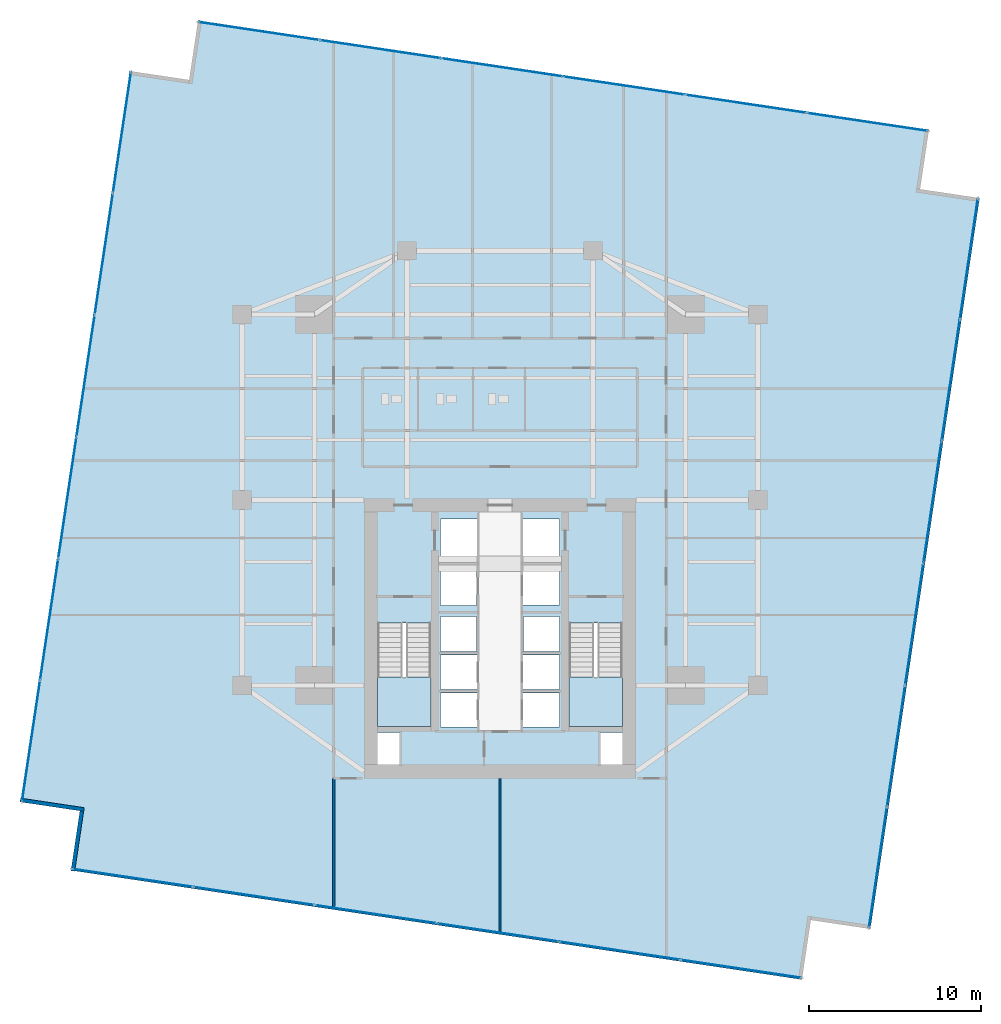
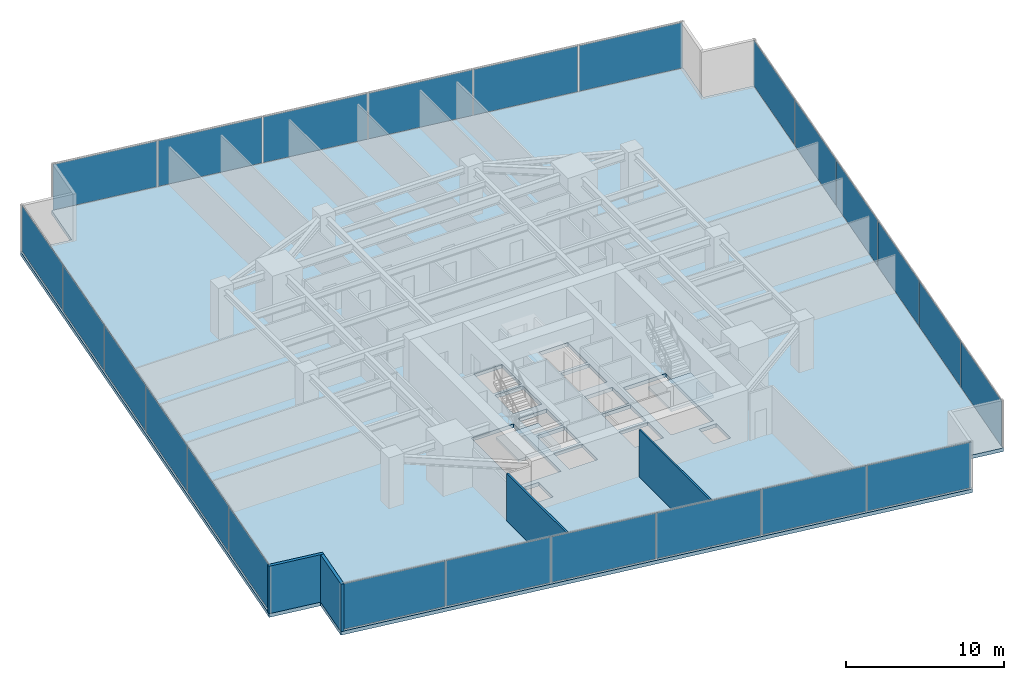
# One storey, part 24 of 29: 24 plates, 4 walls, 3 slabs, 6 elements without a shape of their own.
"""IFC4 building model written with IfcOpenShell, lengths in metres."""

from ifc_helpers import new_model, si_unit, direction, frame, frame_2d, origin, origin_2d, place, context, subcontext, project, spatial, polyline, rectangle, outline, extrude, source, transform, mapped, material, layer, layer_set, type_object, type_shapes, element, aggregate, save


model = new_model("IFC4")

# Units and contexts
model_context = context("Model", 3, precision=1e-05, world=origin(), true_north=direction((0.0, 1.0)))
body_context = subcontext(model_context, "Body", "Model", "MODEL_VIEW")
ifc_project = project(units=[si_unit("LENGTHUNIT", "METRE"), si_unit("AREAUNIT", "SQUARE_METRE"), si_unit("VOLUMEUNIT", "CUBIC_METRE"), si_unit("PLANEANGLEUNIT", "RADIAN"), si_unit("MASSUNIT", "GRAM", prefix="KILO")], contexts=[model_context])

# Site, building, storey
site_placement = place(None, origin())
site = spatial("IfcSite", under=ifc_project, at=site_placement, CompositionType="ELEMENT")
building_placement = place(site_placement, origin())
building = spatial("IfcBuilding", under=site, at=building_placement, Name="Krantzveldt Concourse Tower", CompositionType="ELEMENT")
storey_placement = place(building_placement, frame((0.0, 0.0, 68.449951171875)))
storey = spatial("IfcBuildingStorey", under=building, at=storey_placement, Name="L16", CompositionType="ELEMENT", Elevation=68.449951171875)

# Stair, slab
ifc_material_1 = material(Name="Precast concrete C40/50", Category="concrete")
stair_type = type_object("IfcStairType", Name="STR-CORE-DOGLEG", PredefinedType="HALF_TURN_STAIR", material=ifc_material_1)
stair_1_placement = place(storey_placement, origin())
stair_1 = element("IfcStair", 1, at=stair_1_placement, inside=storey, type_object=stair_type, Name="L16 Protected Escape Stair ST-1", PredefinedType="HALF_TURN_STAIR")
ifc_layer_1 = layer(ifc_material_1, 0.199951171875, Name="Precast concrete C40/50", Category="concrete")
ifc_layer_set_1 = layer_set([ifc_layer_1], Name="Precast concrete C40/50 (SL-LANDING-200)")
slab_type_1 = type_object("IfcSlabType", Name="SL-LANDING-200", PredefinedType="LANDING", material=ifc_layer_set_1)
slab_1_placement = place(storey_placement, frame((0.0, 0.0, 1.775146484375)))
slab_1 = element("IfcSlab", 2, at=slab_1_placement, type_object=slab_type_1, Name="ST-1 landing 1", PredefinedType="LANDING", context=body_context, shape_type="SweptSolid", body=[
    extrude(outline(polyline([(28.8798828125, 16.4150390625), (28.8798828125, 13.52001953125), (31.97998046875, 13.52001953125), (31.97998046875, 16.4150390625), (28.8798828125, 16.4150390625)])), origin(), (0.0, 0.0, 1.0), 0.199951171875),
])
aggregate(stair_1, [slab_1])

stair_2_placement = place(storey_placement, origin())
stair_2 = element("IfcStair", 3, at=stair_2_placement, inside=storey, type_object=stair_type, Name="L16 Protected Escape Stair ST-2", PredefinedType="HALF_TURN_STAIR")
slab_2_placement = place(storey_placement, frame((0.0, 0.0, 1.775146484375)))
slab_2 = element("IfcSlab", 4, at=slab_2_placement, type_object=slab_type_1, Name="ST-2 landing 1", PredefinedType="LANDING", context=body_context, shape_type="SweptSolid", body=[
    extrude(outline(polyline([(40.02001953125, 16.4150390625), (40.02001953125, 13.52001953125), (43.1201171875, 13.52001953125), (43.1201171875, 16.4150390625), (40.02001953125, 16.4150390625)])), origin(), (0.0, 0.0, 1.0), 0.199951171875),
])
aggregate(stair_2, [slab_2])

# Slab
ifc_material_2 = material(Name="Concrete C40/50", Category="concrete")
ifc_layer_2 = layer(ifc_material_2, 0.280029296875, Name="Concrete C40/50", Category="concrete")
ifc_layer_set_2 = layer_set([ifc_layer_2], Name="Concrete C40/50 (SL-SL-TWR280)")
slab_type_2 = type_object("IfcSlabType", Name="SL-SL-TWR280", PredefinedType="FLOOR", material=ifc_layer_set_2)
slab_3_placement = place(storey_placement, frame((0.0, 0.0, -0.280029296875)))
element("IfcSlab", 5, at=slab_3_placement, inside=storey, type_object=slab_type_2, Name="SL-L16-MAIN", PredefinedType="FLOOR", context=body_context, shape_type="SweptSolid", body=[
    extrude(outline(polyline([(17.9140625, 51.141845703125), (14.452392578125, 51.6591796875), (8.0966796875, 9.13134765625), (11.558349609375, 8.614013671875), (11.041015625, 5.152587890625), (53.568603515625, -1.203369140625), (54.0859375, 2.25830078125), (57.547607421875, 1.740966796875), (63.9033203125, 44.2685546875), (60.441650390625, 44.785888671875), (60.958984375, 48.24755859375), (18.431396484375, 54.603271484375), (17.9140625, 51.141845703125)]), holes=[polyline([(28.8798828125, 19.547607421875), (28.8798828125, 13.52001953125), (31.97998046875, 13.52001953125), (31.97998046875, 19.547607421875), (28.8798828125, 19.547607421875)]), polyline([(40.02001953125, 19.547607421875), (40.02001953125, 13.52001953125), (43.1201171875, 13.52001953125), (43.1201171875, 19.547607421875), (40.02001953125, 19.547607421875)]), polyline([(32.550048828125, 23.10009765625), (34.64990234375, 23.10009765625), (34.64990234375, 25.60009765625), (32.550048828125, 25.60009765625), (32.550048828125, 23.10009765625)]), polyline([(37.35009765625, 23.10009765625), (39.449951171875, 23.10009765625), (39.449951171875, 25.60009765625), (37.35009765625, 25.60009765625), (37.35009765625, 23.10009765625)]), polyline([(37.35009765625, 20.60009765625), (39.449951171875, 20.60009765625), (39.449951171875, 22.89990234375), (37.35009765625, 22.89990234375), (37.35009765625, 20.60009765625)]), polyline([(32.550048828125, 13.47998046875), (34.64990234375, 13.47998046875), (34.64990234375, 15.47998046875), (32.550048828125, 15.47998046875), (32.550048828125, 13.47998046875)]), polyline([(32.550048828125, 15.679931640625), (34.64990234375, 15.679931640625), (34.64990234375, 17.679931640625), (32.550048828125, 17.679931640625), (32.550048828125, 15.679931640625)]), polyline([(37.35009765625, 13.47998046875), (39.449951171875, 13.47998046875), (39.449951171875, 15.47998046875), (37.35009765625, 15.47998046875), (37.35009765625, 13.47998046875)]), polyline([(37.35009765625, 15.679931640625), (39.449951171875, 15.679931640625), (39.449951171875, 17.679931640625), (37.35009765625, 17.679931640625), (37.35009765625, 15.679931640625)]), polyline([(32.550048828125, 20.550048828125), (34.6201171875, 20.550048828125), (34.6201171875, 22.89990234375), (32.550048828125, 22.89990234375), (32.550048828125, 20.550048828125)]), polyline([(32.550048828125, 17.8798828125), (34.6201171875, 17.8798828125), (34.6201171875, 19.919921875), (32.550048828125, 19.919921875), (32.550048828125, 17.8798828125)]), polyline([(37.3798828125, 17.8798828125), (39.449951171875, 17.8798828125), (39.449951171875, 19.919921875), (37.3798828125, 19.919921875), (37.3798828125, 17.8798828125)]), polyline([(28.8798828125, 11.320068359375), (30.139892578125, 11.320068359375), (30.139892578125, 13.159912109375), (28.8798828125, 13.159912109375), (28.8798828125, 11.320068359375)]), polyline([(41.860107421875, 11.320068359375), (43.1201171875, 11.320068359375), (43.1201171875, 13.159912109375), (41.860107421875, 13.159912109375), (41.860107421875, 11.320068359375)])]), origin(), (0.0, 0.0, 1.0), 0.280029296875),
])

# Curtain wall, plates
ifc_material_3 = material(Name="Anodised aluminium 6063-T6", Category="aluminium")
curtain_wall_type = type_object("IfcCurtainWallType", Name="CW2", PredefinedType="USERDEFINED", material=ifc_material_3)
curtain_wall_1_placement = place(storey_placement, origin())
curtain_wall_1 = element("IfcCurtainWall", 6, at=curtain_wall_1_placement, inside=storey, type_object=curtain_wall_type, Name="CW-L16-F01", ObjectType="UNITISED CURTAIN WALL", PredefinedType="USERDEFINED")
ifc_material_4 = material(Name="Bronze-tinted laminated low-E IGU glass", Category="glass")
ifc_layer_3 = layer(ifc_material_4, 0.031982421875, Name="Bronze-tinted laminated low-E IGU glass", Category="glass")
ifc_layer_set_3 = layer_set([ifc_layer_3], Name="Bronze-tinted laminated low-E IGU glass (CW-GLZ-32)")
plate_type = type_object("IfcPlateType", Name="CW-GLZ-32", PredefinedType="CURTAIN_PANEL", material=ifc_layer_set_3)
shared_shape_1 = source(origin(), body_context, "Body", "SweptSolid", [
    extrude(rectangle(XDim=7.061767578125, YDim=0.031982421875, at=origin_2d()), origin(), (0.0, 0.0, 1.0), 3.530029296875),
])
plate_1_placement = place(storey_placement, frame((14.00927734375, 48.08447265625, 0.06982421875), z_axis=(0.0, 0.0, 1.0), x_axis=(-0.147809505412, -0.989015849271, 0.0)))
plate_1 = element("IfcPlate", 7, at=plate_1_placement, type_object=plate_type, Name="CW-Z12 panel 1.1", PredefinedType="CURTAIN_PANEL", context=body_context, shape_type="MappedRepresentation", body=[
    mapped(shared_shape_1, transform((0.0, 0.0, 0.0), x_axis=(1.0, 0.0, 0.0), y_axis=(0.0, 1.0, 0.0), z_axis=(0.0, 0.0, 1.0), scale=1.0)),
])
plate_2_placement = place(storey_placement, frame((8.718017578125, 12.679443359375, 0.06982421875), z_axis=(0.0, 0.0, 1.0), x_axis=(-0.147809505412, -0.989015849271, 0.0)))
plate_2 = element("IfcPlate", 8, at=plate_2_placement, type_object=plate_type, Name="CW-Z12 panel 6.1", PredefinedType="CURTAIN_PANEL", context=body_context, shape_type="MappedRepresentation", body=[
    mapped(shared_shape_1, transform((0.0, 0.0, 0.0), x_axis=(1.0, 0.0, 0.0), y_axis=(0.0, 1.0, 0.0), z_axis=(0.0, 0.0, 1.0), scale=1.0)),
])

curtain_wall_2_placement = place(storey_placement, origin())
curtain_wall_2 = element("IfcCurtainWall", 9, at=curtain_wall_2_placement, inside=storey, type_object=curtain_wall_type, Name="CW-L16-F04", ObjectType="UNITISED CURTAIN WALL", PredefinedType="USERDEFINED")
plate_3_placement = place(storey_placement, frame((14.615478515625, 4.709228515625, 0.06982421875), z_axis=(0.0, 0.0, 1.0), x_axis=(0.989015849271, -0.147809505412, 0.0)))
plate_3 = element("IfcPlate", 10, at=plate_3_placement, type_object=plate_type, Name="CW-Z12 panel 1.1", PredefinedType="CURTAIN_PANEL", context=body_context, shape_type="MappedRepresentation", body=[
    mapped(shared_shape_1, transform((0.0, 0.0, 0.0), x_axis=(1.0, 0.0, 0.0), y_axis=(0.0, 1.0, 0.0), z_axis=(0.0, 0.0, 1.0), scale=1.0)),
])
plate_4_placement = place(storey_placement, frame((50.0205078125, -0.58203125, 0.06982421875), z_axis=(0.0, 0.0, 1.0), x_axis=(0.989015849271, -0.147809505412, 0.0)))
plate_4 = element("IfcPlate", 11, at=plate_4_placement, type_object=plate_type, Name="CW-Z12 panel 6.1", PredefinedType="CURTAIN_PANEL", context=body_context, shape_type="MappedRepresentation", body=[
    mapped(shared_shape_1, transform((0.0, 0.0, 0.0), x_axis=(1.0, 0.0, 0.0), y_axis=(0.0, 1.0, 0.0), z_axis=(0.0, 0.0, 1.0), scale=1.0)),
])

curtain_wall_3_placement = place(storey_placement, origin())
curtain_wall_3 = element("IfcCurtainWall", 12, at=curtain_wall_3_placement, inside=storey, type_object=curtain_wall_type, Name="CW-L16-F07", ObjectType="UNITISED CURTAIN WALL", PredefinedType="USERDEFINED")
plate_5_placement = place(storey_placement, frame((57.99072265625, 5.3154296875, 0.06982421875), z_axis=(0.0, 0.0, 1.0), x_axis=(0.147809505412, 0.989015849271, 0.0)))
plate_5 = element("IfcPlate", 13, at=plate_5_placement, type_object=plate_type, Name="CW-Z12 panel 1.1", PredefinedType="CURTAIN_PANEL", context=body_context, shape_type="MappedRepresentation", body=[
    mapped(shared_shape_1, transform((0.0, 0.0, 0.0), x_axis=(1.0, 0.0, 0.0), y_axis=(0.0, 1.0, 0.0), z_axis=(0.0, 0.0, 1.0), scale=1.0)),
])
plate_6_placement = place(storey_placement, frame((63.281982421875, 40.720703125, 0.06982421875), z_axis=(0.0, 0.0, 1.0), x_axis=(0.147809505412, 0.989015849271, 0.0)))
plate_6 = element("IfcPlate", 14, at=plate_6_placement, type_object=plate_type, Name="CW-Z12 panel 6.1", PredefinedType="CURTAIN_PANEL", context=body_context, shape_type="MappedRepresentation", body=[
    mapped(shared_shape_1, transform((0.0, 0.0, 0.0), x_axis=(1.0, 0.0, 0.0), y_axis=(0.0, 1.0, 0.0), z_axis=(0.0, 0.0, 1.0), scale=1.0)),
])

curtain_wall_4_placement = place(storey_placement, origin())
curtain_wall_4 = element("IfcCurtainWall", 15, at=curtain_wall_4_placement, inside=storey, type_object=curtain_wall_type, Name="CW-L16-F10", ObjectType="UNITISED CURTAIN WALL", PredefinedType="USERDEFINED")
plate_7_placement = place(storey_placement, frame((57.384521484375, 48.690673828125, 0.06982421875), z_axis=(0.0, 0.0, 1.0), x_axis=(-0.989015849271, 0.147809505412, 0.0)))
plate_7 = element("IfcPlate", 16, at=plate_7_placement, type_object=plate_type, Name="CW-Z12 panel 1.1", PredefinedType="CURTAIN_PANEL", context=body_context, shape_type="MappedRepresentation", body=[
    mapped(shared_shape_1, transform((0.0, 0.0, 0.0), x_axis=(1.0, 0.0, 0.0), y_axis=(0.0, 1.0, 0.0), z_axis=(0.0, 0.0, 1.0), scale=1.0)),
])
plate_8_placement = place(storey_placement, frame((21.9794921875, 53.98193359375, 0.06982421875), z_axis=(0.0, 0.0, 1.0), x_axis=(-0.989015849271, 0.147809505412, 0.0)))
plate_8 = element("IfcPlate", 17, at=plate_8_placement, type_object=plate_type, Name="CW-Z12 panel 6.1", PredefinedType="CURTAIN_PANEL", context=body_context, shape_type="MappedRepresentation", body=[
    mapped(shared_shape_1, transform((0.0, 0.0, 0.0), x_axis=(1.0, 0.0, 0.0), y_axis=(0.0, 1.0, 0.0), z_axis=(0.0, 0.0, 1.0), scale=1.0)),
])

# Plate
shared_shape_2 = source(origin(), body_context, "Body", "SweptSolid", [
    extrude(rectangle(XDim=7.0966796875, YDim=0.031982421875, at=origin_2d()), origin(), (0.0, 0.0, 1.0), 3.530029296875),
])
type_shapes(plate_type, [shared_shape_1, shared_shape_2])
plate_9_placement = place(storey_placement, frame((12.95263671875, 41.013916015625, 0.06982421875), z_axis=(0.0, 0.0, 1.0), x_axis=(-0.147809505412, -0.989015849271, 0.0)))
plate_9 = element("IfcPlate", 18, at=plate_9_placement, type_object=plate_type, Name="CW-Z12 panel 2.1", PredefinedType="CURTAIN_PANEL", context=body_context, shape_type="MappedRepresentation", body=[
    mapped(shared_shape_2, transform((0.0, 0.0, 0.0), x_axis=(1.0, 0.0, 0.0), y_axis=(0.0, 1.0, 0.0), z_axis=(0.0, 0.0, 1.0), scale=1.0)),
])

plate_10_placement = place(storey_placement, frame((11.893310546875, 33.926025390625, 0.06982421875), z_axis=(0.0, 0.0, 1.0), x_axis=(-0.147809505412, -0.989015849271, 0.0)))
plate_10 = element("IfcPlate", 19, at=plate_10_placement, type_object=plate_type, Name="CW-Z12 panel 3.1", PredefinedType="CURTAIN_PANEL", context=body_context, shape_type="MappedRepresentation", body=[
    mapped(shared_shape_2, transform((0.0, 0.0, 0.0), x_axis=(1.0, 0.0, 0.0), y_axis=(0.0, 1.0, 0.0), z_axis=(0.0, 0.0, 1.0), scale=1.0)),
])

plate_11_placement = place(storey_placement, frame((10.833984375, 26.837890625, 0.06982421875), z_axis=(0.0, 0.0, 1.0), x_axis=(-0.147809505412, -0.989015849271, 0.0)))
plate_11 = element("IfcPlate", 20, at=plate_11_placement, type_object=plate_type, Name="CW-Z12 panel 4.1", PredefinedType="CURTAIN_PANEL", context=body_context, shape_type="MappedRepresentation", body=[
    mapped(shared_shape_2, transform((0.0, 0.0, 0.0), x_axis=(1.0, 0.0, 0.0), y_axis=(0.0, 1.0, 0.0), z_axis=(0.0, 0.0, 1.0), scale=1.0)),
])

plate_12_placement = place(storey_placement, frame((9.774658203125, 19.75, 0.06982421875), z_axis=(0.0, 0.0, 1.0), x_axis=(-0.147809505412, -0.989015849271, 0.0)))
plate_12 = element("IfcPlate", 21, at=plate_12_placement, type_object=plate_type, Name="CW-Z12 panel 5.1", PredefinedType="CURTAIN_PANEL", context=body_context, shape_type="MappedRepresentation", body=[
    mapped(shared_shape_2, transform((0.0, 0.0, 0.0), x_axis=(1.0, 0.0, 0.0), y_axis=(0.0, 1.0, 0.0), z_axis=(0.0, 0.0, 1.0), scale=1.0)),
])

aggregate(curtain_wall_1, [plate_1, plate_9, plate_10, plate_11, plate_12, plate_2])

plate_13_placement = place(storey_placement, frame((21.68603515625, 3.652587890625, 0.06982421875), z_axis=(0.0, 0.0, 1.0), x_axis=(0.989015849271, -0.147809505412, 0.0)))
plate_13 = element("IfcPlate", 22, at=plate_13_placement, type_object=plate_type, Name="CW-Z12 panel 2.1", PredefinedType="CURTAIN_PANEL", context=body_context, shape_type="MappedRepresentation", body=[
    mapped(shared_shape_2, transform((0.0, 0.0, 0.0), x_axis=(1.0, 0.0, 0.0), y_axis=(0.0, 1.0, 0.0), z_axis=(0.0, 0.0, 1.0), scale=1.0)),
])

plate_14_placement = place(storey_placement, frame((28.774169921875, 2.59326171875, 0.06982421875), z_axis=(0.0, 0.0, 1.0), x_axis=(0.989015849271, -0.147809505412, 0.0)))
plate_14 = element("IfcPlate", 23, at=plate_14_placement, type_object=plate_type, Name="CW-Z12 panel 3.1", PredefinedType="CURTAIN_PANEL", context=body_context, shape_type="MappedRepresentation", body=[
    mapped(shared_shape_2, transform((0.0, 0.0, 0.0), x_axis=(1.0, 0.0, 0.0), y_axis=(0.0, 1.0, 0.0), z_axis=(0.0, 0.0, 1.0), scale=1.0)),
])

plate_15_placement = place(storey_placement, frame((35.862060546875, 1.533935546875, 0.06982421875), z_axis=(0.0, 0.0, 1.0), x_axis=(0.989015849271, -0.147809505412, 0.0)))
plate_15 = element("IfcPlate", 24, at=plate_15_placement, type_object=plate_type, Name="CW-Z12 panel 4.1", PredefinedType="CURTAIN_PANEL", context=body_context, shape_type="MappedRepresentation", body=[
    mapped(shared_shape_2, transform((0.0, 0.0, 0.0), x_axis=(1.0, 0.0, 0.0), y_axis=(0.0, 1.0, 0.0), z_axis=(0.0, 0.0, 1.0), scale=1.0)),
])

plate_16_placement = place(storey_placement, frame((42.949951171875, 0.474609375, 0.06982421875), z_axis=(0.0, 0.0, 1.0), x_axis=(0.989015849271, -0.147809505412, 0.0)))
plate_16 = element("IfcPlate", 25, at=plate_16_placement, type_object=plate_type, Name="CW-Z12 panel 5.1", PredefinedType="CURTAIN_PANEL", context=body_context, shape_type="MappedRepresentation", body=[
    mapped(shared_shape_2, transform((0.0, 0.0, 0.0), x_axis=(1.0, 0.0, 0.0), y_axis=(0.0, 1.0, 0.0), z_axis=(0.0, 0.0, 1.0), scale=1.0)),
])

aggregate(curtain_wall_2, [plate_3, plate_13, plate_14, plate_15, plate_16, plate_4])

plate_17_placement = place(storey_placement, frame((59.04736328125, 12.38623046875, 0.06982421875), z_axis=(0.0, 0.0, 1.0), x_axis=(0.147809505412, 0.989015849271, 0.0)))
plate_17 = element("IfcPlate", 26, at=plate_17_placement, type_object=plate_type, Name="CW-Z12 panel 2.1", PredefinedType="CURTAIN_PANEL", context=body_context, shape_type="MappedRepresentation", body=[
    mapped(shared_shape_2, transform((0.0, 0.0, 0.0), x_axis=(1.0, 0.0, 0.0), y_axis=(0.0, 1.0, 0.0), z_axis=(0.0, 0.0, 1.0), scale=1.0)),
])

plate_18_placement = place(storey_placement, frame((60.106689453125, 19.47412109375, 0.06982421875), z_axis=(0.0, 0.0, 1.0), x_axis=(0.147809505412, 0.989015849271, 0.0)))
plate_18 = element("IfcPlate", 27, at=plate_18_placement, type_object=plate_type, Name="CW-Z12 panel 3.1", PredefinedType="CURTAIN_PANEL", context=body_context, shape_type="MappedRepresentation", body=[
    mapped(shared_shape_2, transform((0.0, 0.0, 0.0), x_axis=(1.0, 0.0, 0.0), y_axis=(0.0, 1.0, 0.0), z_axis=(0.0, 0.0, 1.0), scale=1.0)),
])

plate_19_placement = place(storey_placement, frame((61.166015625, 26.56201171875, 0.06982421875), z_axis=(0.0, 0.0, 1.0), x_axis=(0.147809505412, 0.989015849271, 0.0)))
plate_19 = element("IfcPlate", 28, at=plate_19_placement, type_object=plate_type, Name="CW-Z12 panel 4.1", PredefinedType="CURTAIN_PANEL", context=body_context, shape_type="MappedRepresentation", body=[
    mapped(shared_shape_2, transform((0.0, 0.0, 0.0), x_axis=(1.0, 0.0, 0.0), y_axis=(0.0, 1.0, 0.0), z_axis=(0.0, 0.0, 1.0), scale=1.0)),
])

plate_20_placement = place(storey_placement, frame((62.225341796875, 33.64990234375, 0.06982421875), z_axis=(0.0, 0.0, 1.0), x_axis=(0.147809505412, 0.989015849271, 0.0)))
plate_20 = element("IfcPlate", 29, at=plate_20_placement, type_object=plate_type, Name="CW-Z12 panel 5.1", PredefinedType="CURTAIN_PANEL", context=body_context, shape_type="MappedRepresentation", body=[
    mapped(shared_shape_2, transform((0.0, 0.0, 0.0), x_axis=(1.0, 0.0, 0.0), y_axis=(0.0, 1.0, 0.0), z_axis=(0.0, 0.0, 1.0), scale=1.0)),
])

aggregate(curtain_wall_3, [plate_5, plate_17, plate_18, plate_19, plate_20, plate_6])

plate_21_placement = place(storey_placement, frame((50.31396484375, 49.747314453125, 0.06982421875), z_axis=(0.0, 0.0, 1.0), x_axis=(-0.989015849271, 0.147809505412, 0.0)))
plate_21 = element("IfcPlate", 30, at=plate_21_placement, type_object=plate_type, Name="CW-Z12 panel 2.1", PredefinedType="CURTAIN_PANEL", context=body_context, shape_type="MappedRepresentation", body=[
    mapped(shared_shape_2, transform((0.0, 0.0, 0.0), x_axis=(1.0, 0.0, 0.0), y_axis=(0.0, 1.0, 0.0), z_axis=(0.0, 0.0, 1.0), scale=1.0)),
])

plate_22_placement = place(storey_placement, frame((43.225830078125, 50.806640625, 0.06982421875), z_axis=(0.0, 0.0, 1.0), x_axis=(-0.989015849271, 0.147809505412, 0.0)))
plate_22 = element("IfcPlate", 31, at=plate_22_placement, type_object=plate_type, Name="CW-Z12 panel 3.1", PredefinedType="CURTAIN_PANEL", context=body_context, shape_type="MappedRepresentation", body=[
    mapped(shared_shape_2, transform((0.0, 0.0, 0.0), x_axis=(1.0, 0.0, 0.0), y_axis=(0.0, 1.0, 0.0), z_axis=(0.0, 0.0, 1.0), scale=1.0)),
])

plate_23_placement = place(storey_placement, frame((36.137939453125, 51.865966796875, 0.06982421875), z_axis=(0.0, 0.0, 1.0), x_axis=(-0.989015849271, 0.147809505412, 0.0)))
plate_23 = element("IfcPlate", 32, at=plate_23_placement, type_object=plate_type, Name="CW-Z12 panel 4.1", PredefinedType="CURTAIN_PANEL", context=body_context, shape_type="MappedRepresentation", body=[
    mapped(shared_shape_2, transform((0.0, 0.0, 0.0), x_axis=(1.0, 0.0, 0.0), y_axis=(0.0, 1.0, 0.0), z_axis=(0.0, 0.0, 1.0), scale=1.0)),
])

plate_24_placement = place(storey_placement, frame((29.050048828125, 52.92529296875, 0.06982421875), z_axis=(0.0, 0.0, 1.0), x_axis=(-0.989015849271, 0.147809505412, 0.0)))
plate_24 = element("IfcPlate", 33, at=plate_24_placement, type_object=plate_type, Name="CW-Z12 panel 5.1", PredefinedType="CURTAIN_PANEL", context=body_context, shape_type="MappedRepresentation", body=[
    mapped(shared_shape_2, transform((0.0, 0.0, 0.0), x_axis=(1.0, 0.0, 0.0), y_axis=(0.0, 1.0, 0.0), z_axis=(0.0, 0.0, 1.0), scale=1.0)),
])

aggregate(curtain_wall_4, [plate_7, plate_21, plate_22, plate_23, plate_24, plate_8])

# Walls
ifc_layer_4 = layer(ifc_material_3, 0.219970703125, Name="Anodised aluminium 6063-T6", Category="aluminium")
ifc_layer_set_4 = layer_set([ifc_layer_4], Name="Anodised aluminium 6063-T6 (WL-EXT-NOTCH220)")
wall_type_1 = type_object("IfcWallType", Name="WL-EXT-NOTCH220", PredefinedType="ELEMENTEDWALL", material=ifc_layer_set_4)
wall_1_placement = place(storey_placement, frame((8.088134765625, 9.243896484375, 0.0), z_axis=(0.0, 0.0, 1.0), x_axis=(0.989018923648, -0.147788932826, 0.0)))
element("IfcWall", 34, at=wall_1_placement, inside=storey, type_object=wall_type_1, Name="EW-L16-NCH02", PredefinedType="ELEMENTEDWALL", context=body_context, shape_type="SweptSolid", body=[
    extrude(rectangle(XDim=3.744873046875, YDim=0.219970703125, at=frame_2d((1.87255859375, 0.0))), origin(), (0.0, 0.0, 1.0), 3.670166015625),
])
wall_2_placement = place(storey_placement, frame((11.6669921875, 8.597900390625, 0.0), z_axis=(0.0, 0.0, 1.0), x_axis=(-0.147798551521, -0.98901748628, 0.0)))
element("IfcWall", 35, at=wall_2_placement, inside=storey, type_object=wall_type_1, Name="EW-L16-NCH03", PredefinedType="ELEMENTEDWALL", context=body_context, shape_type="SweptSolid", body=[
    extrude(rectangle(XDim=3.525146484375, YDim=0.219970703125, at=frame_2d((1.7626953125, 0.0))), origin(), (0.0, 0.0, 1.0), 3.670166015625),
])
ifc_material_5 = material(Name="Fire-rated gypsum plasterboard on steel stud", Category="steel")
ifc_layer_5 = layer(ifc_material_5, 0.1201171875, Name="Fire-rated gypsum plasterboard on steel stud", Category="steel")
ifc_layer_set_5 = layer_set([ifc_layer_5], Name="Fire-rated gypsum plasterboard on steel stud (WL-PART-120)")
wall_type_2 = type_object("IfcWallType", Name="WL-PART-120", PredefinedType="PARTITIONING", material=ifc_layer_set_5)
wall_3_placement = place(storey_placement, frame((36.0, 1.51318359375, 0.0), z_axis=(0.0, 0.0, 1.0), x_axis=(0.0, 1.0, 0.0)))
element("IfcWall", 36, at=wall_3_placement, inside=storey, type_object=wall_type_2, Name="WP-L16-SMD", PredefinedType="PARTITIONING", context=body_context, shape_type="SweptSolid", body=[
    extrude(rectangle(XDim=8.98681640625, YDim=0.1201171875, at=frame_2d((4.493408203125, 0.0))), origin(), (0.0, 0.0, 1.0), 3.670166015625),
])
ifc_layer_6 = layer(ifc_material_5, 0.139892578125, Name="Fire-rated gypsum plasterboard on steel stud", Category="steel")
ifc_layer_set_6 = layer_set([ifc_layer_6], Name="Fire-rated gypsum plasterboard on steel stud (WL-PART-140)")
wall_type_3 = type_object("IfcWallType", Name="WL-PART-140", PredefinedType="PARTITIONING", material=ifc_layer_set_6)
wall_4_placement = place(storey_placement, frame((26.320068359375, 2.9599609375, 0.0), z_axis=(0.0, 0.0, 1.0), x_axis=(0.0, 1.0, 0.0)))
element("IfcWall", 37, at=wall_4_placement, inside=storey, type_object=wall_type_3, Name="WP-L16-SWL", PredefinedType="PARTITIONING", context=body_context, shape_type="SweptSolid", body=[
    extrude(rectangle(XDim=7.5400390625, YDim=0.139892578125, at=frame_2d((3.77001953125, 0.0))), origin(), (0.0, 0.0, 1.0), 3.670166015625),
])

save(model, "model.ifc")
